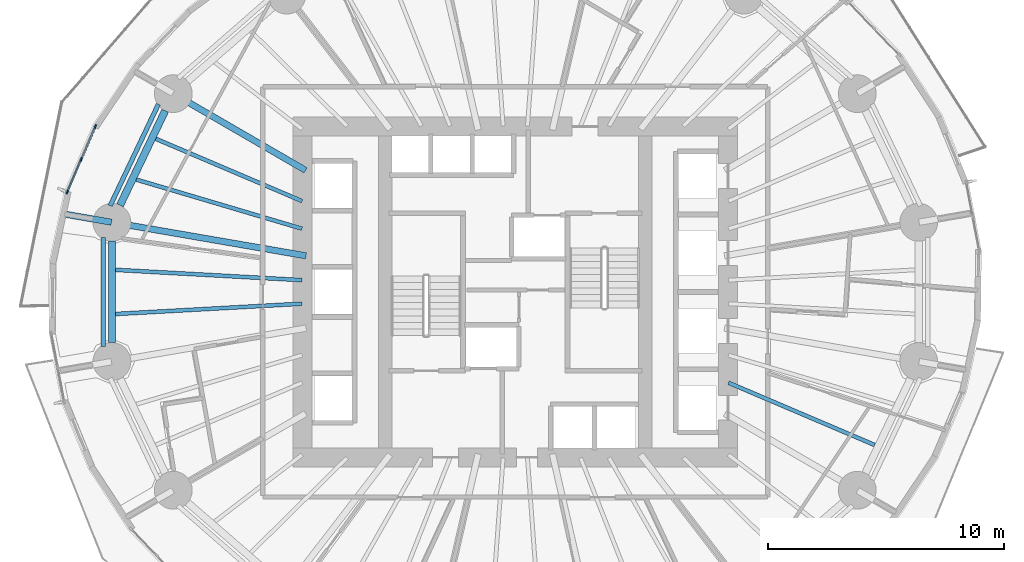
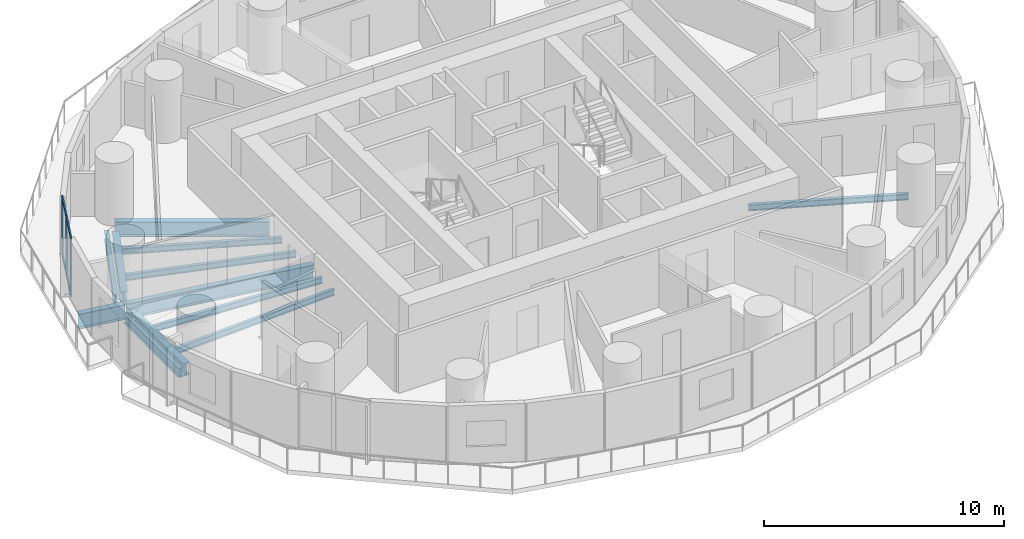
# One storey, part 3 of 14: 12 beams, 7 members, 1 element without a shape of its own.
"""IFC4 building model written with IfcOpenShell, lengths in metres."""

from ifc_helpers import new_model, si_unit, direction, frame, origin, origin_2d, place, context, subcontext, project, spatial, rectangle, i_section, extrude, material, material_profile, profile_set, type_object, element, aggregate, save


model = new_model("IFC4")

# Units and contexts
model_context = context("Model", 3, precision=1e-05, world=origin(), true_north=direction((0.0, 1.0)))
body_context = subcontext(model_context, "Body", "Model", "MODEL_VIEW")
ifc_project = project(units=[si_unit("LENGTHUNIT", "METRE"), si_unit("AREAUNIT", "SQUARE_METRE"), si_unit("VOLUMEUNIT", "CUBIC_METRE"), si_unit("PLANEANGLEUNIT", "RADIAN"), si_unit("MASSUNIT", "GRAM", prefix="KILO")], contexts=[model_context])

# Site, building, storey
site_placement = place(None, origin())
site = spatial("IfcSite", under=ifc_project, at=site_placement, CompositionType="ELEMENT")
building_placement = place(site_placement, origin())
building = spatial("IfcBuilding", under=site, at=building_placement, Name="Veldorim Arch Residences", CompositionType="ELEMENT")
storey_placement = place(building_placement, frame((0.0, 0.0, 31.199951171875)))
storey = spatial("IfcBuildingStorey", under=building, at=storey_placement, Name="L08", CompositionType="ELEMENT", Elevation=31.199951171875)

# Beams
ifc_material_1 = material(Name="Steel S355", Category="steel")
ifc_material_profile_1 = material_profile(ifc_material_1, i_section(OverallWidth=0.30712890625, OverallDepth=0.6201171875, WebThickness=0.01416015625, FlangeThickness=0.023681640625, at=origin_2d()), Name="UB610x305x179")
ifc_profile_set_1 = profile_set([ifc_material_profile_1], Name="Steel S355")
beam_type_1 = type_object("IfcBeamType", Name="Structural Steel Beam UB610x305x179", PredefinedType="BEAM", material=ifc_profile_set_1)
beam_1_placement = place(storey_placement, frame((17.187744140625, 31.6669921875, -0.550048828125), z_axis=(-0.430786696724, -0.902453778276, 0.0), x_axis=(0.902453778276, -0.430786696724, 0.0)))
element("IfcBeam", 1, at=beam_1_placement, inside=storey, type_object=beam_type_1, Name="L08 perimeter ring tie beam 07", PredefinedType="BEAM", context=body_context, shape_type="SweptSolid", body=[
    extrude(i_section(OverallWidth=0.30712890625, OverallDepth=0.6201171875, WebThickness=0.01416015625, FlangeThickness=0.023681640625, at=origin_2d()), origin(), (0.0, 0.0, 1.0), 4.431396484375),
])
beam_2_placement = place(storey_placement, frame((14.934326171875, 26.14599609375, -0.550048828125), z_axis=(0.0, -1.0, 0.0), x_axis=(1.0, 0.0, 0.0)))
element("IfcBeam", 2, at=beam_2_placement, inside=storey, type_object=beam_type_1, Name="L08 perimeter ring tie beam 08", PredefinedType="BEAM", context=body_context, shape_type="SweptSolid", body=[
    extrude(i_section(OverallWidth=0.30712890625, OverallDepth=0.6201171875, WebThickness=0.01416015625, FlangeThickness=0.023681640625, at=origin_2d()), origin(), (0.0, 0.0, 1.0), 4.2919921875),
])
ifc_material_2 = material(Name="Steel S355", Category="steel")
ifc_material_profile_2 = material_profile(ifc_material_2, i_section(OverallWidth=0.26806640625, OverallDepth=0.769775390625, WebThickness=0.015625, FlangeThickness=0.025390625, at=origin_2d()), Name="UB762x267x197")
ifc_profile_set_2 = profile_set([ifc_material_profile_2], Name="Steel S355")
beam_type_2 = type_object("IfcBeamType", Name="Structural Steel GIRDER UB762x267x197", PredefinedType="USERDEFINED", material=ifc_profile_set_2)
beam_3_placement = place(storey_placement, frame((23.1298828125, 29.1435546875, -0.624755859375), z_axis=(-0.865088348752, 0.501619525989, 0.0), x_axis=(-0.501619525989, -0.865088348752, 0.0)))
element("IfcBeam", 3, at=beam_3_placement, inside=storey, type_object=beam_type_2, Name="L08 radial floor girder 07", ObjectType="GIRDER", PredefinedType="USERDEFINED", context=body_context, shape_type="SweptSolid", body=[
    extrude(i_section(OverallWidth=0.26806640625, OverallDepth=0.769775390625, WebThickness=0.015625, FlangeThickness=0.025390625, at=origin_2d()), origin(), (0.0, 0.0, 1.0), 6.4501953125),
])
beam_4_placement = place(storey_placement, frame((23.147705078125, 25.528076171875, -0.624755859375), z_axis=(-0.985427548249, 0.170095699979, 0.0), x_axis=(-0.170095699979, -0.985427548249, 0.0)))
element("IfcBeam", 4, at=beam_4_placement, inside=storey, type_object=beam_type_2, Name="L08 radial floor girder 08", ObjectType="GIRDER", PredefinedType="USERDEFINED", context=body_context, shape_type="SweptSolid", body=[
    extrude(i_section(OverallWidth=0.26806640625, OverallDepth=0.769775390625, WebThickness=0.015625, FlangeThickness=0.025390625, at=origin_2d()), origin(), (0.0, 0.0, 1.0), 8.314697265625),
])
beam_5_placement = place(storey_placement, frame((14.91455078125, 26.94921875, -0.624755859375), z_axis=(-0.985424365947, 0.170114135211, 0.0), x_axis=(-0.170114135211, -0.985424365947, 0.0)))
element("IfcBeam", 5, at=beam_5_placement, inside=storey, type_object=beam_type_2, Name="L08 radial edge cantilever girder 08", ObjectType="GIRDER", PredefinedType="USERDEFINED", context=body_context, shape_type="SweptSolid", body=[
    extrude(i_section(OverallWidth=0.26806640625, OverallDepth=0.769775390625, WebThickness=0.015625, FlangeThickness=0.025390625, at=origin_2d()), origin(), (0.0, 0.0, 1.0), 2.091064453125),
])
ifc_material_3 = material(Name="Steel S355", Category="steel")
ifc_material_profile_3 = material_profile(ifc_material_3, i_section(OverallWidth=0.165771484375, OverallDepth=0.306640625, WebThickness=0.006591796875, FlangeThickness=0.01171875, at=origin_2d()), Name="UB305x165x46")
ifc_profile_set_3 = profile_set([ifc_material_profile_3], Name="Steel S355")
beam_type_3 = type_object("IfcBeamType", Name="Structural Steel Joist UB305x165x46", PredefinedType="JOIST", material=ifc_profile_set_3)
beam_6_placement = place(storey_placement, frame((22.981689453125, 27.84130859375, -0.393310546875), z_axis=(-0.920032948668, 0.391841005213, 0.0), x_axis=(-0.391841005213, -0.920032948668, 0.0)))
element("IfcBeam", 6, at=beam_6_placement, inside=storey, type_object=beam_type_3, Name="L08 secondary radial floor joist 07-1", PredefinedType="JOIST", context=body_context, shape_type="SweptSolid", body=[
    extrude(i_section(OverallWidth=0.165771484375, OverallDepth=0.306640625, WebThickness=0.006591796875, FlangeThickness=0.01171875, at=origin_2d()), origin(), (0.0, 0.0, 1.0), 6.723388671875),
])
beam_7_placement = place(storey_placement, frame((22.980712890625, 26.67333984375, -0.393310546875), z_axis=(-0.958766778771, 0.284194060325, 0.0), x_axis=(-0.284194060325, -0.958766778771, 0.0)))
element("IfcBeam", 7, at=beam_7_placement, inside=storey, type_object=beam_type_3, Name="L08 secondary radial floor joist 07-2", PredefinedType="JOIST", context=body_context, shape_type="SweptSolid", body=[
    extrude(i_section(OverallWidth=0.165771484375, OverallDepth=0.306640625, WebThickness=0.006591796875, FlangeThickness=0.01171875, at=origin_2d()), origin(), (0.0, 0.0, 1.0), 7.3115234375),
])
for number, where, z_axis, x_axis, name in (
    (8, (22.97998046875, 24.498291015625, -0.393310546875), (-0.998478371109, 0.055144740699, 0.0), (-0.055144740699, -0.998478371109, 0.0), "L08 secondary radial floor joist 08-1"),
    (9, (22.97998046875, 23.501708984375, -0.393310546875), (-0.998478371109, -0.055144740699, 0.0), (0.055144740699, -0.998478371109, 0.0), "L08 secondary radial floor joist 08-2"),
):
    element("IfcBeam", number, at=place(storey_placement, frame(where, z_axis=z_axis, x_axis=x_axis)), inside=storey, type_object=beam_type_3, Name=name, PredefinedType="JOIST", context=body_context, shape_type="SweptSolid", body=[
        extrude(i_section(OverallWidth=0.165771484375, OverallDepth=0.306640625, WebThickness=0.006591796875, FlangeThickness=0.01171875, at=origin_2d()), origin(), (0.0, 0.0, 1.0), 7.898193359375),
    ])
beam_8_placement = place(storey_placement, frame((41.018310546875, 20.15869140625, -0.393310546875), z_axis=(0.920032948668, -0.391841005213, 0.0), x_axis=(0.391841005213, 0.920032948668, 0.0)))
element("IfcBeam", 10, at=beam_8_placement, inside=storey, type_object=beam_type_3, Name="L08 secondary radial floor joist 15-1", PredefinedType="JOIST", context=body_context, shape_type="SweptSolid", body=[
    extrude(i_section(OverallWidth=0.165771484375, OverallDepth=0.306640625, WebThickness=0.006591796875, FlangeThickness=0.01171875, at=origin_2d()), origin(), (0.0, 0.0, 1.0), 6.723388671875),
])
ifc_material_4 = material(Name="Steel S355", Category="steel")
ifc_material_profile_4 = material_profile(ifc_material_4, i_section(OverallWidth=0.19140625, OverallDepth=0.4599609375, WebThickness=0.010009765625, FlangeThickness=0.01611328125, at=origin_2d()), Name="UB457x191x82")
ifc_profile_set_4 = profile_set([ifc_material_profile_4], Name="Steel S355")
beam_type_4 = type_object("IfcBeamType", Name="Structural Steel Spandrel UB457x191x82", PredefinedType="SPANDREL", material=ifc_profile_set_4)
beam_9_placement = place(storey_placement, frame((16.90185546875, 31.943603515625, -0.489990234375), z_axis=(-0.42886940858, -0.903366498374, 0.0), x_axis=(0.903366498374, -0.42886940858, 0.0)))
element("IfcBeam", 11, at=beam_9_placement, inside=storey, type_object=beam_type_4, Name="L08 perimeter chord spandrel beam 07", PredefinedType="SPANDREL", context=body_context, shape_type="SweptSolid", body=[
    extrude(i_section(OverallWidth=0.19140625, OverallDepth=0.4599609375, WebThickness=0.010009765625, FlangeThickness=0.01611328125, at=origin_2d()), origin(), (0.0, 0.0, 1.0), 4.7568359375),
])
beam_10_placement = place(storey_placement, frame((14.559814453125, 26.306396484375, -0.489990234375), z_axis=(0.0, -1.0, 0.0), x_axis=(1.0, 0.0, 0.0)))
element("IfcBeam", 12, at=beam_10_placement, inside=storey, type_object=beam_type_4, Name="L08 perimeter chord spandrel beam 08", PredefinedType="SPANDREL", context=body_context, shape_type="SweptSolid", body=[
    extrude(i_section(OverallWidth=0.19140625, OverallDepth=0.4599609375, WebThickness=0.010009765625, FlangeThickness=0.01611328125, at=origin_2d()), origin(), (0.0, 0.0, 1.0), 4.61279296875),
])

# Curtain wall, members
ifc_material_5 = material(Name="Aluminium", Category="aluminium")
curtain_wall_type = type_object("IfcCurtainWallType", Name="Zone 1 Acoustic Low-E Unitised Curtain Wall", PredefinedType="NOTDEFINED", material=ifc_material_5)
curtain_wall_placement = place(storey_placement, origin())
curtain_wall = element("IfcCurtainWall", 13, at=curtain_wall_placement, inside=storey, type_object=curtain_wall_type, Name="L08 unitised curtain wall bay 16", PredefinedType="NOTDEFINED")
ifc_material_6 = material(Name="Aluminium", Category="aluminium")
ifc_material_profile_5 = material_profile(ifc_material_6, rectangle(XDim=0.06494140625, YDim=0.175048828125, at=origin_2d()), Name="ALU_MUL_65x175")
ifc_profile_set_5 = profile_set([ifc_material_profile_5], Name="Aluminium")
member_type_1 = type_object("IfcMemberType", Name="Zone 1 Acoustic Low-E Unitised Curtain Wall Mullion 65x175", PredefinedType="MULLION", material=ifc_profile_set_5)
member_1_placement = place(storey_placement, frame((13.044677734375, 28.219970703125, 0.0), z_axis=(0.0, 0.0, 1.0), x_axis=(-0.919222162015, 0.393739275232, 0.0)))
member_1 = element("IfcMember", 14, at=member_1_placement, type_object=member_type_1, Name="CW-Z1 mullion 1", PredefinedType="MULLION", context=body_context, shape_type="SweptSolid", body=[
    extrude(rectangle(XDim=0.06494140625, YDim=0.175048828125, at=origin_2d()), origin(), (0.0, 0.0, 1.0), 2.9599609375),
])
member_2_placement = place(storey_placement, frame((13.63916015625, 29.607421875, 0.0), z_axis=(0.0, 0.0, 1.0), x_axis=(-0.919222162015, 0.393739275232, 0.0)))
member_2 = element("IfcMember", 15, at=member_2_placement, type_object=member_type_1, Name="CW-Z1 mullion 2", PredefinedType="MULLION", context=body_context, shape_type="SweptSolid", body=[
    extrude(rectangle(XDim=0.06494140625, YDim=0.175048828125, at=origin_2d()), origin(), (0.0, 0.0, 1.0), 2.9599609375),
])
member_3_placement = place(storey_placement, frame((14.2333984375, 30.9951171875, 0.0), z_axis=(0.0, 0.0, 1.0), x_axis=(-0.919222162015, 0.393739275232, 0.0)))
member_3 = element("IfcMember", 16, at=member_3_placement, type_object=member_type_1, Name="CW-Z1 mullion 3", PredefinedType="MULLION", context=body_context, shape_type="SweptSolid", body=[
    extrude(rectangle(XDim=0.06494140625, YDim=0.175048828125, at=origin_2d()), origin(), (0.0, 0.0, 1.0), 2.9599609375),
])
ifc_material_7 = material(Name="Aluminium", Category="aluminium")
ifc_material_profile_6 = material_profile(ifc_material_7, rectangle(XDim=0.06494140625, YDim=0.14990234375, at=origin_2d()), Name="ALU_TRN_65x150")
ifc_profile_set_6 = profile_set([ifc_material_profile_6], Name="Aluminium")
member_type_2 = type_object("IfcMemberType", Name="Zone 1 Acoustic Low-E Unitised Curtain Wall Transom 65x150", PredefinedType="USERDEFINED", material=ifc_profile_set_6)
member_4_placement = place(storey_placement, frame((13.057373046875, 28.249755859375, 0.032470703125), z_axis=(0.393776515602, 0.919206209596, 0.0), x_axis=(-0.919206209596, 0.393776515602, 0.0)))
member_4 = element("IfcMember", 17, at=member_4_placement, type_object=member_type_2, Name="CW-Z1 transom 1.1", ObjectType="TRANSOM", PredefinedType="USERDEFINED", context=body_context, shape_type="SweptSolid", body=[
    extrude(rectangle(XDim=0.06494140625, YDim=0.14990234375, at=origin_2d()), origin(), (0.0, 0.0, 1.0), 1.444580078125),
])
member_5_placement = place(storey_placement, frame((13.057373046875, 28.249755859375, 2.927490234375), z_axis=(0.393776515602, 0.919206209596, 0.0), x_axis=(-0.919206209596, 0.393776515602, 0.0)))
member_5 = element("IfcMember", 18, at=member_5_placement, type_object=member_type_2, Name="CW-Z1 transom 1.2", ObjectType="TRANSOM", PredefinedType="USERDEFINED", context=body_context, shape_type="SweptSolid", body=[
    extrude(rectangle(XDim=0.06494140625, YDim=0.14990234375, at=origin_2d()), origin(), (0.0, 0.0, 1.0), 1.444580078125),
])
member_6_placement = place(storey_placement, frame((13.65185546875, 29.63720703125, 0.032470703125), z_axis=(0.393776515602, 0.919206209596, 0.0), x_axis=(-0.919206209596, 0.393776515602, 0.0)))
member_6 = element("IfcMember", 19, at=member_6_placement, type_object=member_type_2, Name="CW-Z1 transom 2.1", ObjectType="TRANSOM", PredefinedType="USERDEFINED", context=body_context, shape_type="SweptSolid", body=[
    extrude(rectangle(XDim=0.06494140625, YDim=0.14990234375, at=origin_2d()), origin(), (0.0, 0.0, 1.0), 1.444580078125),
])
member_7_placement = place(storey_placement, frame((13.65185546875, 29.63720703125, 2.927490234375), z_axis=(0.393776515602, 0.919206209596, 0.0), x_axis=(-0.919206209596, 0.393776515602, 0.0)))
member_7 = element("IfcMember", 20, at=member_7_placement, type_object=member_type_2, Name="CW-Z1 transom 2.2", ObjectType="TRANSOM", PredefinedType="USERDEFINED", context=body_context, shape_type="SweptSolid", body=[
    extrude(rectangle(XDim=0.06494140625, YDim=0.14990234375, at=origin_2d()), origin(), (0.0, 0.0, 1.0), 1.444580078125),
])
aggregate(curtain_wall, [member_1, member_2, member_3, member_4, member_5, member_6, member_7])

save(model, "model.ifc")
